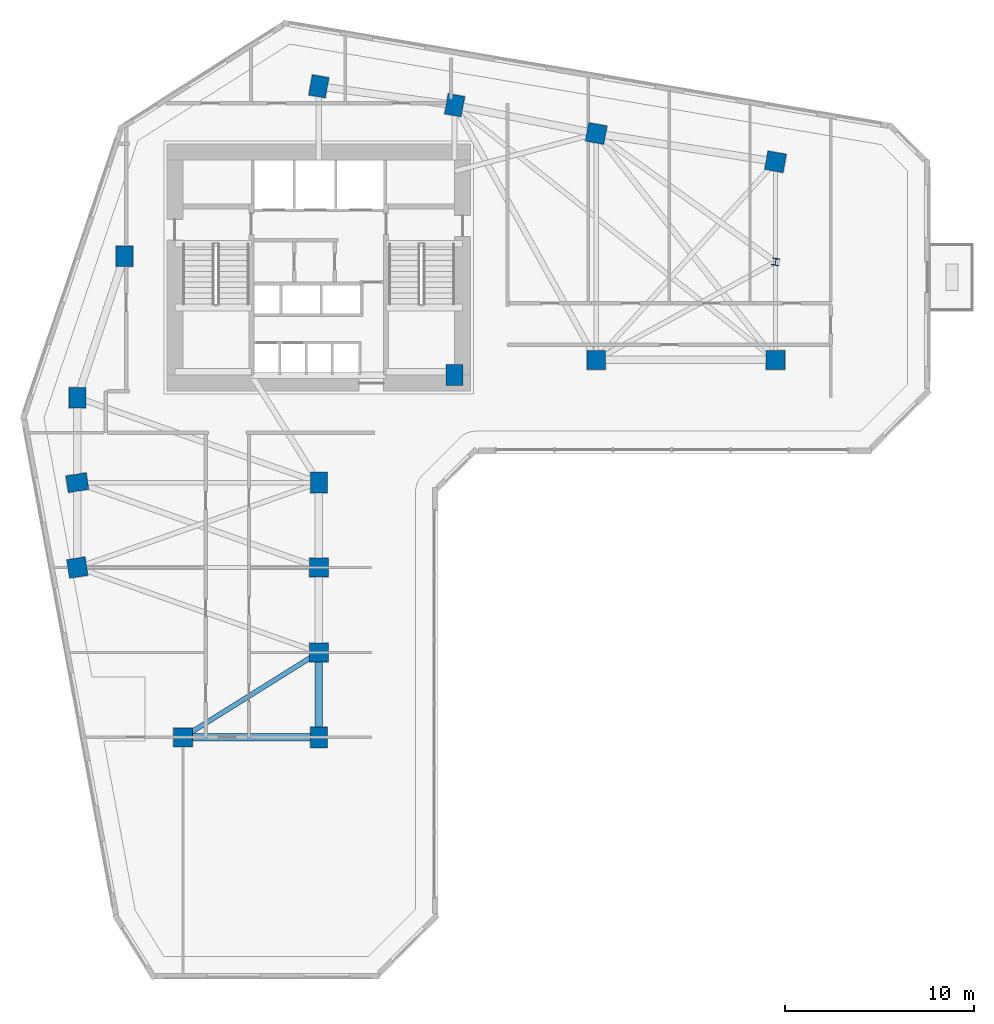
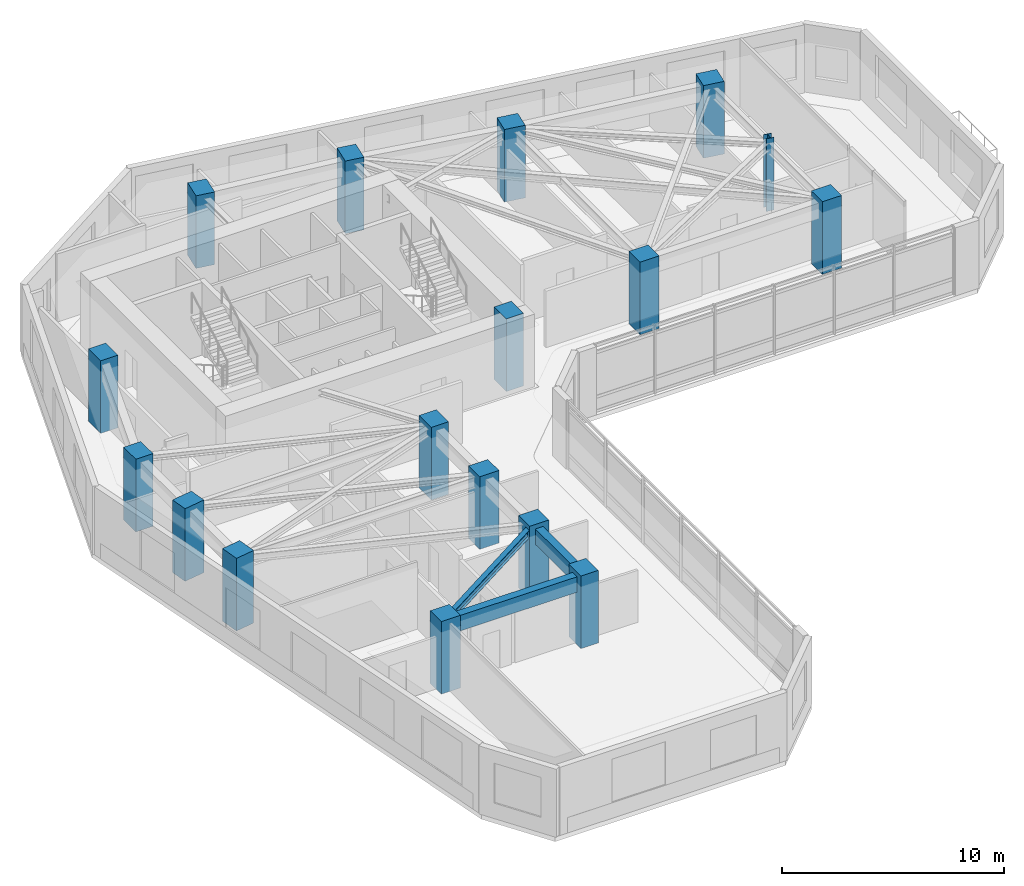
# One storey, part 1 of 11: 17 columns, 3 beams.
"""IFC4 building model written with IfcOpenShell, lengths in metres."""

from ifc_helpers import new_model, si_unit, direction, frame, origin, origin_2d, place, context, subcontext, project, spatial, rectangle, i_section, extrude, source, transform, mapped, material, material_profile, profile_set, type_object, element, save


model = new_model("IFC4")

# Units and contexts
model_context = context("Model", 3, precision=1e-05, world=origin(), true_north=direction((0.0, 1.0)))
body_context = subcontext(model_context, "Body", "Model", "MODEL_VIEW")
ifc_project = project(units=[si_unit("LENGTHUNIT", "METRE"), si_unit("AREAUNIT", "SQUARE_METRE"), si_unit("VOLUMEUNIT", "CUBIC_METRE"), si_unit("PLANEANGLEUNIT", "RADIAN"), si_unit("MASSUNIT", "GRAM", prefix="KILO")], contexts=[model_context])

# Site, building, storey
site_placement = place(None, origin())
site = spatial("IfcSite", under=ifc_project, at=site_placement, CompositionType="ELEMENT")
building_placement = place(site_placement, origin())
building = spatial("IfcBuilding", under=site, at=building_placement, Name="Calvemar Wedge Station Tower", CompositionType="ELEMENT")
storey_placement = place(building_placement, frame((0.0, 0.0, 83.0)))
storey = spatial("IfcBuildingStorey", under=building, at=storey_placement, Name="L20", CompositionType="ELEMENT", Elevation=83.0)

# Columns
ifc_material_1 = material(Name="Concrete C70", Category="concrete")
ifc_material_profile_1 = material_profile(ifc_material_1, rectangle(XDim=0.89990234375, YDim=1.10009765625, at=origin_2d()), Name="RC1100x900")
ifc_profile_set_1 = profile_set([ifc_material_profile_1], Name="Concrete C70")
column_type_1 = type_object("IfcColumnType", Name="COL-C3-1100x900", PredefinedType="COLUMN", material=ifc_profile_set_1)
shared_shape_1 = source(origin(), body_context, "Body", "SweptSolid", [
    extrude(rectangle(XDim=0.89990234375, YDim=1.10009765625, at=origin_2d()), origin(), (0.0, 0.0, 1.0), 4.0),
])
for number, where, z_axis, x_axis, name in (
    (1, (11.0, 33.0, 0.0), (0.0, 0.0, 1.0), (1.0, 0.0, 0.0), "Storey L20 Column T-NW1"),
    (2, (13.5, 40.5, 0.0), (0.0, 0.0, 1.0), (1.0, 0.0, 0.0), "Storey L20 Column T-NW2"),
    (3, (23.800048828125, 49.5, 0.0), (0.0, 0.0, 1.0), (0.984195607969, -0.17708474032, 0.0), "Storey L20 Column T-N1"),
    (4, (31.0, 48.5, 0.0), (0.0, 0.0, 1.0), (0.984195607969, -0.17708474032, 0.0), "Storey L20 Column T-N2"),
    (5, (31.0, 34.199951171875, 0.0), (0.0, 0.0, 1.0), (1.0, 0.0, 0.0), "Storey L20 Column T-NL1"),
    (6, (11.0, 28.5, 0.0), (0.0, 0.0, 1.0), (0.158158067254, -0.987413806751, 0.0), "Storey L20 Column T-SW1"),
    (7, (23.800048828125, 28.5, 0.0), (0.0, 0.0, 1.0), (1.0, 0.0, 0.0), "Storey L20 Column T-SE1"),
    (8, (23.800048828125, 15.0, 0.0), (0.0, 0.0, 1.0), (1.0, 0.0, 0.0), "Storey L20 Column T-SE4"),
):
    element("IfcColumn", number, at=place(storey_placement, frame(where, z_axis=z_axis, x_axis=x_axis)), inside=storey, type_object=column_type_1, Name=name, PredefinedType="COLUMN", context=body_context, shape_type="MappedRepresentation", body=[
        mapped(shared_shape_1, transform((0.0, 0.0, 0.0), scale=1.0)),
    ])
ifc_material_2 = material(Name="Concrete C60", Category="concrete")
ifc_material_profile_2 = material_profile(ifc_material_2, rectangle(XDim=1.0, YDim=1.0, at=origin_2d()), Name="RC1000x1000")
ifc_profile_set_2 = profile_set([ifc_material_profile_2], Name="Concrete C60")
column_type_2 = type_object("IfcColumnType", Name="COL-C4-1000", PredefinedType="COLUMN", material=ifc_profile_set_2)
shared_shape_2 = source(origin(), body_context, "Body", "SweptSolid", [
    extrude(rectangle(XDim=1.0, YDim=1.0, at=origin_2d()), origin(), (0.0, 0.0, 1.0), 4.0),
])
for number, where, z_axis, x_axis, name in (
    (9, (38.5, 47.0, 0.0), (0.0, 0.0, 1.0), (0.984195607969, -0.17708474032, 0.0), "Storey L20 Column T-NU3"),
    (10, (48.0, 45.5, 0.0), (0.0, 0.0, 1.0), (0.984195607969, -0.17708474032, 0.0), "Storey L20 Column T-NU4"),
    (11, (38.5, 35.0, 0.0), (0.0, 0.0, 1.0), (1.0, 0.0, 0.0), "Storey L20 Column T-NL2"),
    (12, (48.0, 35.0, 0.0), (0.0, 0.0, 1.0), (1.0, 0.0, 0.0), "Storey L20 Column T-NL3"),
    (13, (11.0, 24.0, 0.0), (0.0, 0.0, 1.0), (0.158158067254, -0.987413806751, 0.0), "Storey L20 Column T-SW2"),
    (14, (23.800048828125, 24.0, 0.0), (0.0, 0.0, 1.0), (1.0, 0.0, 0.0), "Storey L20 Column T-SE2"),
    (15, (23.800048828125, 19.5, 0.0), (0.0, 0.0, 1.0), (1.0, 0.0, 0.0), "Storey L20 Column T-SE3"),
    (16, (16.60009765625, 15.0, 0.0), (0.0, 0.0, 1.0), (1.0, 0.0, 0.0), "Storey L20 Column T-SM1"),
):
    element("IfcColumn", number, at=place(storey_placement, frame(where, z_axis=z_axis, x_axis=x_axis)), inside=storey, type_object=column_type_2, Name=name, PredefinedType="COLUMN", context=body_context, shape_type="MappedRepresentation", body=[
        mapped(shared_shape_2, transform((0.0, 0.0, 0.0), scale=1.0)),
    ])
ifc_material_3 = material(Name="Structural steel ASTM A572 Grade 50", Category="steel")
ifc_material_profile_3 = material_profile(ifc_material_3, i_section(OverallWidth=0.3740234375, OverallDepth=0.3720703125, WebThickness=0.016357421875, FlangeThickness=0.026123046875, FilletRadius=0.014892578125, at=origin_2d()), Name="W360x196")
ifc_profile_set_3 = profile_set([ifc_material_profile_3], Name="Structural steel ASTM A572 Grade 50")
column_type_3 = type_object("IfcColumnType", Name="COL-STL-W360", PredefinedType="COLUMN", material=ifc_profile_set_3)
shared_shape_3 = source(origin(), body_context, "Body", "SweptSolid", [
    extrude(i_section(OverallWidth=0.3740234375, OverallDepth=0.3720703125, WebThickness=0.016357421875, FlangeThickness=0.026123046875, FilletRadius=0.014892578125, at=origin_2d()), origin(), (0.0, 0.0, 1.0), 4.0),
])
column_placement = place(storey_placement, frame((48.0, 40.199951171875, 0.0), z_axis=(0.0, 0.0, 1.0), x_axis=(0.984195607969, -0.17708474032, 0.0)))
element("IfcColumn", 17, at=column_placement, inside=storey, type_object=column_type_3, Name="Storey L20 Column T-NTIP-A", PredefinedType="COLUMN", context=body_context, shape_type="MappedRepresentation", body=[
    mapped(shared_shape_3, transform((0.0, 0.0, 0.0), scale=1.0)),
])

# Beams
ifc_material_profile_4 = material_profile(ifc_material_2, rectangle(XDim=0.39990234375, YDim=0.85009765625, at=origin_2d()), Name="RC400x850")
ifc_profile_set_4 = profile_set([ifc_material_profile_4], Name="Concrete C60")
beam_type_1 = type_object("IfcBeamType", Name="BM-SP1-850", PredefinedType="SPANDREL", material=ifc_profile_set_4)
shared_shape_4 = source(origin(), body_context, "Body", "SweptSolid", [
    extrude(rectangle(XDim=0.39990234375, YDim=0.85009765625, at=origin_2d()), origin(), (0.0, 0.0, 1.0), 4.5),
])
beam_1_placement = place(storey_placement, frame((23.800048828125, 19.5, 3.324951171875), z_axis=(0.0, -1.0, 0.0), x_axis=(1.0, 0.0, 0.0)))
element("IfcBeam", 18, at=beam_1_placement, inside=storey, type_object=beam_type_1, Name="Storey L20 Spandrel T-SE3-T-SE4", PredefinedType="SPANDREL", context=body_context, shape_type="MappedRepresentation", body=[
    mapped(shared_shape_4, transform((0.0, 0.0, 0.0), scale=1.0)),
])
shared_shape_5 = source(origin(), body_context, "Body", "SweptSolid", [
    extrude(rectangle(XDim=0.39990234375, YDim=0.85009765625, at=origin_2d()), origin(), (0.0, 0.0, 1.0), 7.199951171875),
])
beam_2_placement = place(storey_placement, frame((16.60009765625, 15.0, 3.324951171875), z_axis=(1.0, 0.0, 0.0), x_axis=(0.0, 1.0, 0.0)))
element("IfcBeam", 19, at=beam_2_placement, inside=storey, type_object=beam_type_1, Name="Storey L20 Spandrel T-SM1-T-SE4", PredefinedType="SPANDREL", context=body_context, shape_type="MappedRepresentation", body=[
    mapped(shared_shape_5, transform((0.0, 0.0, 0.0), scale=1.0)),
])
ifc_material_profile_5 = material_profile(ifc_material_3, i_section(OverallWidth=0.260986328125, OverallDepth=0.419921875, WebThickness=0.01171875, FlangeThickness=0.019287109375, FilletRadius=0.012939453125, at=origin_2d()), Name="W410x114")
ifc_profile_set_5 = profile_set([ifc_material_profile_5], Name="Structural steel ASTM A572 Grade 50")
beam_type_2 = type_object("IfcBeamType", Name="BM-J2-W410H", PredefinedType="JOIST", material=ifc_profile_set_5)
shared_shape_6 = source(origin(), body_context, "Body", "SweptSolid", [
    extrude(i_section(OverallWidth=0.260986328125, OverallDepth=0.419921875, WebThickness=0.01171875, FlangeThickness=0.019287109375, FilletRadius=0.012939453125, at=origin_2d()), origin(), (0.0, 0.0, 1.0), 8.490478515625),
])
beam_3_placement = place(storey_placement, frame((23.800048828125, 19.5, 3.5400390625), z_axis=(-0.847996688584, -0.530001524668, 0.0), x_axis=(0.530001524668, -0.847996688584, 0.0)))
element("IfcBeam", 20, at=beam_3_placement, inside=storey, type_object=beam_type_2, Name="Storey L20 Floor Beam T-SE3-T-SM1", PredefinedType="JOIST", context=body_context, shape_type="MappedRepresentation", body=[
    mapped(shared_shape_6, transform((0.0, 0.0, 0.0), scale=1.0)),
])

save(model, "model.ifc")
